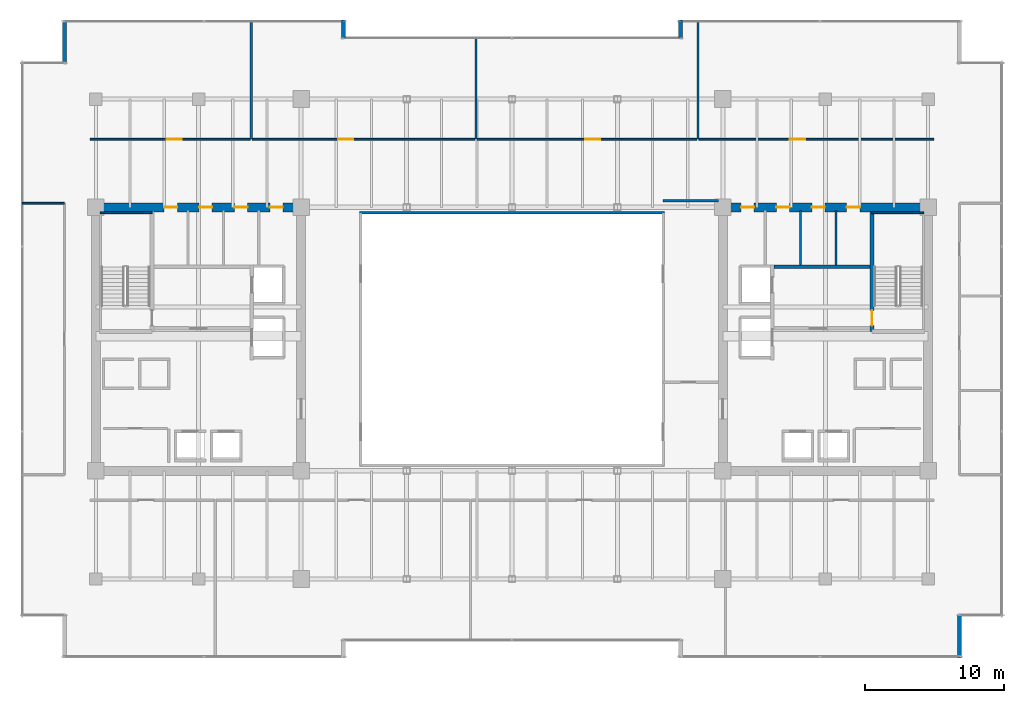
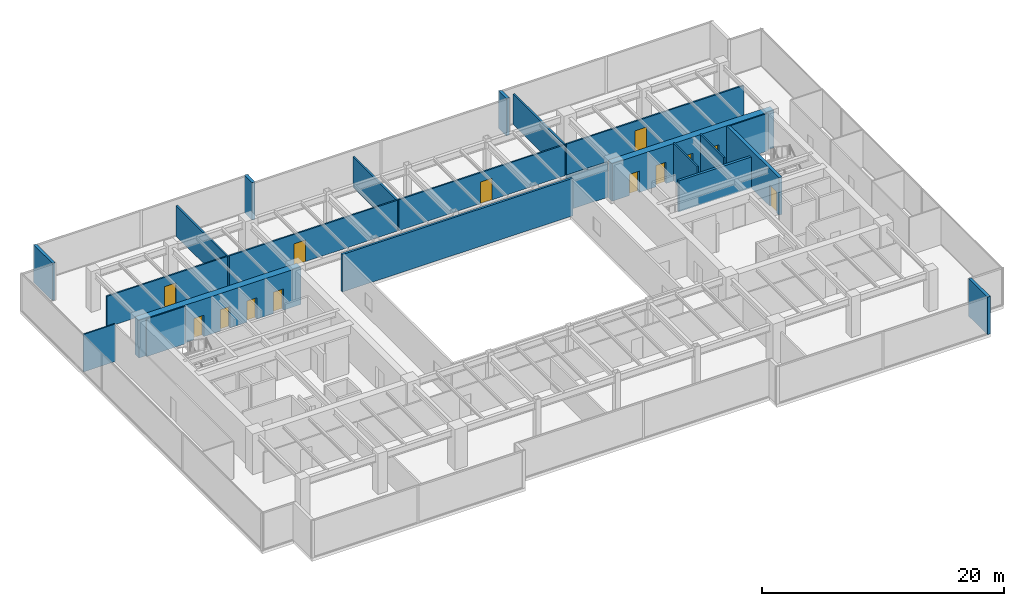
# One storey, part 27 of 30: 22 walls, 13 doors, 13 openings.
"""IFC4 building model written with IfcOpenShell, lengths in metres."""

from ifc_helpers import new_model, si_unit, direction, frame, frame_2d, origin, place, context, subcontext, project, spatial, rectangle, extrude, source, transform, mapped, material, layer, layer_set, type_object, type_shapes, element, fill, save


model = new_model("IFC4")

# Units and contexts
model_context = context("Model", 3, precision=1e-05, world=origin(), true_north=direction((0.0, 1.0)))
body_context = subcontext(model_context, "Body", "Model", "MODEL_VIEW")
ifc_project = project(units=[si_unit("LENGTHUNIT", "METRE"), si_unit("AREAUNIT", "SQUARE_METRE"), si_unit("VOLUMEUNIT", "CUBIC_METRE"), si_unit("PLANEANGLEUNIT", "RADIAN"), si_unit("MASSUNIT", "GRAM", prefix="KILO")], contexts=[model_context])

# Site, building, storey
site_placement = place(None, origin())
site = spatial("IfcSite", under=ifc_project, at=site_placement, CompositionType="ELEMENT")
building_placement = place(site_placement, origin())
building = spatial("IfcBuilding", under=site, at=building_placement, Name="Haelvirn Gate Laboratories", CompositionType="ELEMENT")
storey_placement = place(building_placement, frame((0.0, 0.0, 121.5)))
storey = spatial("IfcBuildingStorey", under=building, at=storey_placement, Name="L29", CompositionType="ELEMENT", Elevation=121.5)

# Walls
ifc_material_1 = material(Name="Thermally-broken bronze aluminium rainscreen & mineral wool", Category="aluminium")
ifc_layer_1 = layer(ifc_material_1, 0.280029296875, Name="EW-TERR-280")
ifc_layer_set_1 = layer_set([ifc_layer_1], Name="Thermally-broken bronze aluminium rainscreen & mineral wool")
wall_type_1 = type_object("IfcWallType", Name="EW-TERR-280", PredefinedType="STANDARD", material=ifc_layer_set_1)
wall_1_placement = place(storey_placement, frame((69.659912109375, 1.300048828125, 0.0), z_axis=(0.0, 0.0, 1.0), x_axis=(0.0, 1.0, 0.0)))
element("IfcWall", 1, at=wall_1_placement, inside=storey, type_object=wall_type_1, Name="L29 Atrium Recess Bronze Return Wall 05", PredefinedType="STANDARD", context=body_context, shape_type="SweptSolid", body=[
    extrude(rectangle(XDim=3.087890625, YDim=0.280029296875, at=frame_2d((1.5439453125, 0.0))), origin(), (0.0, 0.0, 1.0), 3.7900390625),
])
for number, where, z_axis, x_axis, name in (
    (2, (49.5400390625, 47.300048828125, 0.0), (0.0, 0.0, 1.0), (0.0, -1.0, 0.0), "L29 Atrium Recess Bronze Return Wall 11"),
    (3, (25.260009765625, 46.011962890625, 0.0), (0.0, 0.0, 1.0), (0.0, 1.0, 0.0), "L29 Atrium Recess Bronze Return Wall 13"),
):
    element("IfcWall", number, at=place(storey_placement, frame(where, z_axis=z_axis, x_axis=x_axis)), inside=storey, type_object=wall_type_1, Name=name, PredefinedType="STANDARD", context=body_context, shape_type="SweptSolid", body=[
        extrude(rectangle(XDim=1.2880859375, YDim=0.280029296875, at=frame_2d((0.64404296875, 0.0))), origin(), (0.0, 0.0, 1.0), 3.7900390625),
    ])
wall_2_placement = place(storey_placement, frame((5.139892578125, 47.300048828125, 0.0), z_axis=(0.0, 0.0, 1.0), x_axis=(0.0, -1.0, 0.0)))
element("IfcWall", 4, at=wall_2_placement, inside=storey, type_object=wall_type_1, Name="L29 Atrium Recess Bronze Return Wall 15", PredefinedType="STANDARD", context=body_context, shape_type="SweptSolid", body=[
    extrude(rectangle(XDim=3.088134765625, YDim=0.280029296875, at=frame_2d((1.5439453125, 0.0))), origin(), (0.0, 0.0, 1.0), 3.7900390625),
])
ifc_material_2 = material(Name="Double-layer acoustic gypsum laboratory partition", Category="gypsum")
ifc_layer_2 = layer(ifc_material_2, 0.159912109375, Name="IW-ACOUST-160")
ifc_layer_set_2 = layer_set([ifc_layer_2], Name="Double-layer acoustic gypsum laboratory partition")
wall_type_2 = type_object("IfcWallType", Name="IW-ACOUST-160", PredefinedType="PARTITIONING", material=ifc_layer_set_2)
wall_3_placement = place(storey_placement, frame((18.60009765625, 38.705078125, 0.0), z_axis=(0.0, 0.0, 1.0), x_axis=(0.0, 1.0, 0.0)))
element("IfcWall", 5, at=wall_3_placement, inside=storey, type_object=wall_type_2, Name="L29 Interior Wall IW-L29-NDIV-01", PredefinedType="PARTITIONING", context=body_context, shape_type="SweptSolid", body=[
    extrude(rectangle(XDim=8.48486328125, YDim=0.159912109375, at=frame_2d((4.242431640625, 0.0))), origin(), (0.0, 0.0, 1.0), 3.074951171875),
])
wall_4_placement = place(storey_placement, frame((34.800048828125, 38.705078125, 0.0), z_axis=(0.0, 0.0, 1.0), x_axis=(0.0, 1.0, 0.0)))
element("IfcWall", 6, at=wall_4_placement, inside=storey, type_object=wall_type_2, Name="L29 Interior Wall IW-L29-NDIV-02", PredefinedType="PARTITIONING", context=body_context, shape_type="SweptSolid", body=[
    extrude(rectangle(XDim=7.284912109375, YDim=0.159912109375, at=frame_2d((3.642578125, 0.0))), origin(), (0.0, 0.0, 1.0), 3.074951171875),
])
wall_5_placement = place(storey_placement, frame((50.800048828125, 38.705078125, 0.0), z_axis=(0.0, 0.0, 1.0), x_axis=(0.0, 1.0, 0.0)))
element("IfcWall", 7, at=wall_5_placement, inside=storey, type_object=wall_type_2, Name="L29 Interior Wall IW-L29-NDIV-03", PredefinedType="PARTITIONING", context=body_context, shape_type="SweptSolid", body=[
    extrude(rectangle(XDim=8.48486328125, YDim=0.159912109375, at=frame_2d((4.242431640625, 0.0))), origin(), (0.0, 0.0, 1.0), 3.074951171875),
])
ifc_material_3 = material(Name="Fire-rated acoustic gypsum board partition", Category="gypsum")
ifc_layer_3 = layer(ifc_material_3, 0.175048828125, Name="IW-ACOUST-180")
ifc_layer_set_3 = layer_set([ifc_layer_3], Name="Fire-rated acoustic gypsum board partition")
wall_type_3 = type_object("IfcWallType", Name="IW-ACOUST-180", PredefinedType="PARTITIONING", material=ifc_layer_set_3)
wall_6_placement = place(storey_placement, frame((48.300048828125, 34.260009765625, 0.0), z_axis=(0.0, 0.0, 1.0), x_axis=(1.0, 0.0, 0.0)))
element("IfcWall", 8, at=wall_6_placement, inside=storey, type_object=wall_type_3, Name="L29 Interior Wall IW-L29-ASEM-N", PredefinedType="PARTITIONING", context=body_context, shape_type="SweptSolid", body=[
    extrude(rectangle(XDim=3.974853515625, YDim=0.175048828125, at=frame_2d((1.9873046875, 0.0))), origin(), (0.0, 0.0, 1.0), 3.47509765625),
])
ifc_material_4 = material(Name="Tempered fire-rated borosilicate glass & anodised aluminium", Category="aluminium")
ifc_layer_4 = layer(ifc_material_4, 0.195068359375, Name="IW-GLAZ-200")
ifc_layer_set_4 = layer_set([ifc_layer_4], Name="Tempered fire-rated borosilicate glass & anodised aluminium")
wall_type_4 = type_object("IfcWallType", Name="IW-GLAZ-200", PredefinedType="SOLIDWALL", material=ifc_layer_set_4)
wall_7_placement = place(storey_placement, frame((26.39990234375, 33.39990234375, 0.0), z_axis=(0.0, 0.0, 1.0), x_axis=(1.0, 0.0, 0.0)))
element("IfcWall", 9, at=wall_7_placement, inside=storey, type_object=wall_type_4, Name="L29 Interior Wall IW-L29-ATRIUM-N", PredefinedType="SOLIDWALL", context=body_context, shape_type="SweptSolid", body=[
    extrude(rectangle(XDim=22.0, YDim=0.195068359375, at=frame_2d((11.0, 0.0))), origin(), (0.0, 0.0, 1.0), 3.7900390625),
])
ifc_material_5 = material(Name="Lightweight acoustic gypsum board partition", Category="gypsum")
ifc_layer_5 = layer(ifc_material_5, 0.1201171875, Name="IW-PART-120")
ifc_layer_set_5 = layer_set([ifc_layer_5], Name="Lightweight acoustic gypsum board partition")
wall_type_5 = type_object("IfcWallType", Name="IW-PART-120", PredefinedType="PARTITIONING", material=ifc_layer_set_5)
wall_8_placement = place(storey_placement, frame((2.110107421875, 34.0849609375, 0.0), z_axis=(0.0, 0.0, 1.0), x_axis=(1.0, 0.0, 0.0)))
element("IfcWall", 10, at=wall_8_placement, inside=storey, type_object=wall_type_5, Name="L29 Interior Wall IW-L29-WCAP-N", PredefinedType="PARTITIONING", context=body_context, shape_type="SweptSolid", body=[
    extrude(rectangle(XDim=3.019775390625, YDim=0.1201171875, at=frame_2d((1.509765625, 0.0))), origin(), (0.0, 0.0, 1.0), 3.7900390625),
])

# Wall, opening, door
ifc_material_6 = material(Name="Acoustic mineral-wool gypsum board partition", Category="gypsum")
ifc_layer_6 = layer(ifc_material_6, 0.139892578125, Name="IW-PART-140")
ifc_layer_set_6 = layer_set([ifc_layer_6], Name="Acoustic mineral-wool gypsum board partition")
wall_type_6 = type_object("IfcWallType", Name="IW-PART-140", PredefinedType="PARTITIONING", material=ifc_layer_set_6)
wall_9_placement = place(storey_placement, frame((6.97998046875, 38.705078125, 0.0), z_axis=(0.0, 0.0, 1.0), x_axis=(1.0, 0.0, 0.0)))
wall_9 = element("IfcWall", 11, at=wall_9_placement, inside=storey, type_object=wall_type_6, Name="L29 Interior Wall IW-L29-NCORR-01", PredefinedType="PARTITIONING", context=body_context, shape_type="SweptSolid", body=[
    extrude(rectangle(XDim=11.5400390625, YDim=0.139892578125, at=frame_2d((5.77001953125, 0.0))), origin(), (0.0, 0.0, 1.0), 3.125),
])
opening_1_placement = place(wall_9_placement, frame((5.51220703125, 0.0, 0.0)))
opening_1 = element("IfcOpeningElement", 12, at=opening_1_placement, cuts=wall_9, Name="Opening D1", PredefinedType="OPENING", context=body_context, shape_type="SweptSolid", body=[
    extrude(rectangle(XDim=1.10009765625, YDim=2.179931640625, at=frame_2d((0.550048828125, 1.08984375))), frame((0.0, 0.080078125, 0.0), z_axis=(0.0, -1.0, 0.0), x_axis=(1.0, 0.0, 0.0)), (0.0, 0.0, 1.0), 0.159912109375),
])
ifc_material_7 = material(Name="Vision-panel acoustic solid-core timber lab door", Category="wood")
door_type_1 = type_object("IfcDoorType", Name="DR-LAB-1100", OperationType="NOTDEFINED", PredefinedType="DOOR", material=ifc_material_7)
shared_shape_1 = source(origin(), body_context, "Body", "SweptSolid", [
    extrude(rectangle(XDim=1.10009765625, YDim=2.179931640625, at=frame_2d((0.550048828125, 1.08984375))), frame((0.0, 0.02490234375, 0.0), z_axis=(0.0, -1.0, 0.0), x_axis=(1.0, 0.0, 0.0)), (0.0, 0.0, 1.0), 0.050048828125),
])
type_shapes(door_type_1, [shared_shape_1])
door_1_placement = place(opening_1_placement, origin())
door_1 = element("IfcDoor", 13, at=door_1_placement, inside=storey, type_object=door_type_1, Name="L29 Cleanroom Metrology Suite Door N1", OperationType="SINGLE_SWING_LEFT", OverallHeight=2.179931640625, OverallWidth=1.10009765625, PredefinedType="DOOR", context=body_context, shape_type="MappedRepresentation", body=[
    mapped(shared_shape_1, transform((0.0, 0.0, 0.0), scale=1.0)),
])
fill(opening_1, door_1)

wall_10_placement = place(storey_placement, frame((18.679931640625, 38.705078125, 0.0), z_axis=(0.0, 0.0, 1.0), x_axis=(1.0, 0.0, 0.0)))
wall_10 = element("IfcWall", 14, at=wall_10_placement, inside=storey, type_object=wall_type_6, Name="L29 Interior Wall IW-L29-NCORR-02", PredefinedType="PARTITIONING", context=body_context, shape_type="SweptSolid", body=[
    extrude(rectangle(XDim=16.0400390625, YDim=0.139892578125, at=frame_2d((8.02001953125, 0.0))), origin(), (0.0, 0.0, 1.0), 3.125),
])
opening_2_placement = place(wall_10_placement, frame((6.1884765625, 0.0, 0.0)))
opening_2 = element("IfcOpeningElement", 15, at=opening_2_placement, cuts=wall_10, Name="Opening D1", PredefinedType="OPENING", context=body_context, shape_type="SweptSolid", body=[
    extrude(rectangle(XDim=1.10009765625, YDim=2.179931640625, at=frame_2d((0.550048828125, 1.08984375))), frame((0.0, 0.080078125, 0.0), z_axis=(0.0, -1.0, 0.0), x_axis=(1.0, 0.0, 0.0)), (0.0, 0.0, 1.0), 0.159912109375),
])
door_2_placement = place(opening_2_placement, origin())
door_2 = element("IfcDoor", 16, at=door_2_placement, inside=storey, type_object=door_type_1, Name="L29 Cryo-EM Imaging Suite Door N2", OperationType="SINGLE_SWING_RIGHT", OverallHeight=2.179931640625, OverallWidth=1.10009765625, PredefinedType="DOOR", context=body_context, shape_type="MappedRepresentation", body=[
    mapped(shared_shape_1, transform((0.0, 0.0, 0.0), scale=1.0)),
])
fill(opening_2, door_2)

wall_11_placement = place(storey_placement, frame((34.8798828125, 38.705078125, 0.0), z_axis=(0.0, 0.0, 1.0), x_axis=(1.0, 0.0, 0.0)))
wall_11 = element("IfcWall", 17, at=wall_11_placement, inside=storey, type_object=wall_type_6, Name="L29 Interior Wall IW-L29-NCORR-03", PredefinedType="PARTITIONING", context=body_context, shape_type="SweptSolid", body=[
    extrude(rectangle(XDim=15.840087890625, YDim=0.139892578125, at=frame_2d((7.919921875, 0.0))), origin(), (0.0, 0.0, 1.0), 3.125),
])
opening_3_placement = place(wall_11_placement, frame((7.791259765625, 0.0, 0.0)))
opening_3 = element("IfcOpeningElement", 18, at=opening_3_placement, cuts=wall_11, Name="Opening D1", PredefinedType="OPENING", context=body_context, shape_type="SweptSolid", body=[
    extrude(rectangle(XDim=1.10009765625, YDim=2.179931640625, at=frame_2d((0.550048828125, 1.08984375))), frame((0.0, 0.080078125, 0.0), z_axis=(0.0, -1.0, 0.0), x_axis=(1.0, 0.0, 0.0)), (0.0, 0.0, 1.0), 0.159912109375),
])
door_3_placement = place(opening_3_placement, origin())
door_3 = element("IfcDoor", 19, at=door_3_placement, inside=storey, type_object=door_type_1, Name="L29 Floor Hydration & Tea Servery Door N3", OperationType="SINGLE_SWING_LEFT", OverallHeight=2.179931640625, OverallWidth=1.10009765625, PredefinedType="DOOR", context=body_context, shape_type="MappedRepresentation", body=[
    mapped(shared_shape_1, transform((0.0, 0.0, 0.0), scale=1.0)),
])
fill(opening_3, door_3)

wall_12_placement = place(storey_placement, frame((50.8798828125, 38.705078125, 0.0), z_axis=(0.0, 0.0, 1.0), x_axis=(1.0, 0.0, 0.0)))
wall_12 = element("IfcWall", 20, at=wall_12_placement, inside=storey, type_object=wall_type_6, Name="L29 Interior Wall IW-L29-NCORR-04", PredefinedType="PARTITIONING", context=body_context, shape_type="SweptSolid", body=[
    extrude(rectangle(XDim=16.940185546875, YDim=0.139892578125, at=frame_2d((8.47021484375, 0.0))), origin(), (0.0, 0.0, 1.0), 3.125),
])
opening_4_placement = place(wall_12_placement, frame((6.557373046875, 0.0, 0.0)))
opening_4 = element("IfcOpeningElement", 21, at=opening_4_placement, cuts=wall_12, Name="Opening D1", PredefinedType="OPENING", context=body_context, shape_type="SweptSolid", body=[
    extrude(rectangle(XDim=1.10009765625, YDim=2.179931640625, at=frame_2d((0.550048828125, 1.08984375))), frame((0.0, 0.080078125, 0.0), z_axis=(0.0, -1.0, 0.0), x_axis=(1.0, 0.0, 0.0)), (0.0, 0.0, 1.0), 0.159912109375),
])
door_4_placement = place(opening_4_placement, origin())
door_4 = element("IfcDoor", 22, at=door_4_placement, inside=storey, type_object=door_type_1, Name="L29 Researcher Break Pantry Door N4", OperationType="SINGLE_SWING_RIGHT", OverallHeight=2.179931640625, OverallWidth=1.10009765625, PredefinedType="DOOR", context=body_context, shape_type="MappedRepresentation", body=[
    mapped(shared_shape_1, transform((0.0, 0.0, 0.0), scale=1.0)),
])
fill(opening_4, door_4)

# Walls
ifc_material_8 = material(Name="Cement-board restroom plumbing chase wall", Category="gypsum")
ifc_layer_7 = layer(ifc_material_8, 0.155029296875, Name="IW-PLUMB-160")
ifc_layer_set_7 = layer_set([ifc_layer_7], Name="Cement-board restroom plumbing chase wall")
wall_type_7 = type_object("IfcWallType", Name="IW-PLUMB-160", PredefinedType="PLUMBINGWALL", material=ifc_layer_set_7)
for number, where, z_axis, x_axis, name in (
    (23, (60.760009765625, 29.64990234375, 0.0), (0.0, 0.0, 1.0), (0.0, 1.0, 0.0), "L29 Interior Wall IW-L29-E-CDIV-1"),
    (24, (58.2099609375, 29.64990234375, 0.0), (0.0, 0.0, 1.0), (0.0, 1.0, 0.0), "L29 Interior Wall IW-L29-E-CDIV-2"),
):
    element("IfcWall", number, at=place(storey_placement, frame(where, z_axis=z_axis, x_axis=x_axis)), inside=storey, type_object=wall_type_7, Name=name, PredefinedType="PLUMBINGWALL", context=body_context, shape_type="SweptSolid", body=[
        extrude(rectangle(XDim=3.93017578125, YDim=0.155029296875, at=frame_2d((1.965087890625, 0.0))), origin(), (0.0, 0.0, 1.0), 3.7900390625),
    ])
ifc_material_9 = material(Name="Concrete C40/50", Category="concrete")
ifc_layer_8 = layer(ifc_material_9, 0.239990234375, Name="IW-SHAFT-240")
ifc_layer_set_8 = layer_set([ifc_layer_8], Name="Concrete C40/50")
wall_type_8 = type_object("IfcWallType", Name="IW-SHAFT-240", PredefinedType="SOLIDWALL", material=ifc_layer_set_8)
wall_13_placement = place(storey_placement, frame((56.280029296875, 29.52001953125, 0.0), z_axis=(0.0, 0.0, 1.0), x_axis=(1.0, 0.0, 0.0)))
element("IfcWall", 25, at=wall_13_placement, inside=storey, type_object=wall_type_8, Name="L29 Interior Wall IW-L29-E-FF-N", PredefinedType="SOLIDWALL", context=body_context, shape_type="SweptSolid", body=[
    extrude(rectangle(XDim=6.919921875, YDim=0.239990234375, at=frame_2d((3.4599609375, 0.0))), origin(), (0.0, 0.0, 1.0), 3.125),
])

# Wall, openings, doors
ifc_material_10 = material(Name="Concrete C60/75", Category="concrete")
ifc_layer_9 = layer(ifc_material_10, 0.64990234375, Name="SW-CORE-650")
ifc_layer_set_9 = layer_set([ifc_layer_9], Name="Concrete C60/75")
wall_type_9 = type_object("IfcWallType", Name="SW-CORE-650", PredefinedType="SHEAR", material=ifc_layer_set_9)
wall_14_placement = place(storey_placement, frame((7.074951171875, 33.800048828125, 0.0), z_axis=(0.0, 0.0, 1.0), x_axis=(1.0, 0.0, 0.0)))
wall_14 = element("IfcWall", 26, at=wall_14_placement, inside=storey, type_object=wall_type_9, Name="L29 W Core Shear Wall N", PredefinedType="SHEAR", context=body_context, shape_type="SweptSolid", body=[
    extrude(rectangle(XDim=15.449951171875, YDim=0.64990234375, at=frame_2d((7.72509765625, 0.0))), origin(), (0.0, 0.0, 1.0), 3.7900390625),
])
opening_5_placement = place(wall_14_placement, frame((5.25, 0.0, 0.0)))
opening_5 = element("IfcOpeningElement", 27, at=opening_5_placement, cuts=wall_14, Name="Opening FD4", PredefinedType="OPENING", context=body_context, shape_type="SweptSolid", body=[
    extrude(rectangle(XDim=0.949951171875, YDim=2.14990234375, at=frame_2d((0.47509765625, 1.074951171875))), frame((0.0, 0.3349609375, 0.0), z_axis=(0.0, -1.0, 0.0), x_axis=(1.0, 0.0, 0.0)), (0.0, 0.0, 1.0), 0.669921875),
])
opening_6_placement = place(wall_14_placement, frame((7.764892578125, 0.0, 0.0)))
opening_6 = element("IfcOpeningElement", 28, at=opening_6_placement, cuts=wall_14, Name="Opening FD4", PredefinedType="OPENING", context=body_context, shape_type="SweptSolid", body=[
    extrude(rectangle(XDim=0.949951171875, YDim=2.14990234375, at=frame_2d((0.47509765625, 1.074951171875))), frame((0.0, 0.3349609375, 0.0), z_axis=(0.0, -1.0, 0.0), x_axis=(1.0, 0.0, 0.0)), (0.0, 0.0, 1.0), 0.669921875),
])
opening_7_placement = place(wall_14_placement, frame((10.31494140625, 0.0, 0.0)))
opening_7 = element("IfcOpeningElement", 29, at=opening_7_placement, cuts=wall_14, Name="Opening FD4", PredefinedType="OPENING", context=body_context, shape_type="SweptSolid", body=[
    extrude(rectangle(XDim=0.949951171875, YDim=2.14990234375, at=frame_2d((0.47509765625, 1.074951171875))), frame((0.0, 0.3349609375, 0.0), z_axis=(0.0, -1.0, 0.0), x_axis=(1.0, 0.0, 0.0)), (0.0, 0.0, 1.0), 0.669921875),
])
opening_8_placement = place(wall_14_placement, frame((12.864990234375, 0.0, 0.0)))
opening_8 = element("IfcOpeningElement", 30, at=opening_8_placement, cuts=wall_14, Name="Opening FD4", PredefinedType="OPENING", context=body_context, shape_type="SweptSolid", body=[
    extrude(rectangle(XDim=0.949951171875, YDim=2.14990234375, at=frame_2d((0.47509765625, 1.074951171875))), frame((0.0, 0.3349609375, 0.0), z_axis=(0.0, -1.0, 0.0), x_axis=(1.0, 0.0, 0.0)), (0.0, 0.0, 1.0), 0.669921875),
])
ifc_material_11 = material(Name="Fire-rated steel SM355 core service door", Category="steel")
door_type_2 = type_object("IfcDoorType", Name="DR-FD-950", OperationType="NOTDEFINED", PredefinedType="DOOR", material=ifc_material_11)
shared_shape_2 = source(origin(), body_context, "Body", "SweptSolid", [
    extrude(rectangle(XDim=0.949951171875, YDim=2.14990234375, at=frame_2d((0.47509765625, 1.074951171875))), frame((0.0, 0.02490234375, 0.0), z_axis=(0.0, -1.0, 0.0), x_axis=(1.0, 0.0, 0.0)), (0.0, 0.0, 1.0), 0.050048828125),
])
type_shapes(door_type_2, [shared_shape_2])
door_5_placement = place(opening_5_placement, origin())
door_5 = element("IfcDoor", 31, at=door_5_placement, inside=storey, type_object=door_type_2, Name="L29 Male Restroom Fire Door", OperationType="SINGLE_SWING_RIGHT", OverallHeight=2.14990234375, OverallWidth=0.949951171875, PredefinedType="DOOR", context=body_context, shape_type="MappedRepresentation", body=[
    mapped(shared_shape_2, transform((0.0, 0.0, 0.0), scale=1.0)),
])
fill(opening_5, door_5)
door_6_placement = place(opening_6_placement, origin())
door_6 = element("IfcDoor", 32, at=door_6_placement, inside=storey, type_object=door_type_2, Name="L29 Female Restroom Fire Door", OperationType="SINGLE_SWING_LEFT", OverallHeight=2.14990234375, OverallWidth=0.949951171875, PredefinedType="DOOR", context=body_context, shape_type="MappedRepresentation", body=[
    mapped(shared_shape_2, transform((0.0, 0.0, 0.0), scale=1.0)),
])
fill(opening_6, door_6)
door_7_placement = place(opening_7_placement, origin())
door_7 = element("IfcDoor", 33, at=door_7_placement, inside=storey, type_object=door_type_2, Name="L29 Accessible Restroom Fire Door", OperationType="SINGLE_SWING_RIGHT", OverallHeight=2.14990234375, OverallWidth=0.949951171875, PredefinedType="DOOR", context=body_context, shape_type="MappedRepresentation", body=[
    mapped(shared_shape_2, transform((0.0, 0.0, 0.0), scale=1.0)),
])
fill(opening_7, door_7)
door_8_placement = place(opening_8_placement, origin())
door_8 = element("IfcDoor", 34, at=door_8_placement, inside=storey, type_object=door_type_2, Name="L29 Decontamination Shower Washroom Fire Door", OperationType="SINGLE_SWING_LEFT", OverallHeight=2.14990234375, OverallWidth=0.949951171875, PredefinedType="DOOR", context=body_context, shape_type="MappedRepresentation", body=[
    mapped(shared_shape_2, transform((0.0, 0.0, 0.0), scale=1.0)),
])
fill(opening_8, door_8)

wall_15_placement = place(storey_placement, frame((52.27490234375, 33.800048828125, 0.0), z_axis=(0.0, 0.0, 1.0), x_axis=(1.0, 0.0, 0.0)))
wall_15 = element("IfcWall", 35, at=wall_15_placement, inside=storey, type_object=wall_type_9, Name="L29 E Core Shear Wall N", PredefinedType="SHEAR", context=body_context, shape_type="SweptSolid", body=[
    extrude(rectangle(XDim=15.4501953125, YDim=0.64990234375, at=frame_2d((7.72509765625, 0.0))), origin(), (0.0, 0.0, 1.0), 3.7900390625),
])
opening_9_placement = place(wall_15_placement, frame((9.25, 0.0, 0.0)))
opening_9 = element("IfcOpeningElement", 36, at=opening_9_placement, cuts=wall_15, Name="Opening FD4", PredefinedType="OPENING", context=body_context, shape_type="SweptSolid", body=[
    extrude(rectangle(XDim=0.949951171875, YDim=2.14990234375, at=frame_2d((0.47509765625, 1.074951171875))), frame((0.0, 0.3349609375, 0.0), z_axis=(0.0, -1.0, 0.0), x_axis=(1.0, 0.0, 0.0)), (0.0, 0.0, 1.0), 0.669921875),
])
opening_10_placement = place(wall_15_placement, frame((6.735107421875, 0.0, 0.0)))
opening_10 = element("IfcOpeningElement", 37, at=opening_10_placement, cuts=wall_15, Name="Opening FD4", PredefinedType="OPENING", context=body_context, shape_type="SweptSolid", body=[
    extrude(rectangle(XDim=0.949951171875, YDim=2.14990234375, at=frame_2d((0.47509765625, 1.074951171875))), frame((0.0, 0.3349609375, 0.0), z_axis=(0.0, -1.0, 0.0), x_axis=(1.0, 0.0, 0.0)), (0.0, 0.0, 1.0), 0.669921875),
])
opening_11_placement = place(wall_15_placement, frame((4.18505859375, 0.0, 0.0)))
opening_11 = element("IfcOpeningElement", 38, at=opening_11_placement, cuts=wall_15, Name="Opening FD4", PredefinedType="OPENING", context=body_context, shape_type="SweptSolid", body=[
    extrude(rectangle(XDim=0.949951171875, YDim=2.14990234375, at=frame_2d((0.47509765625, 1.074951171875))), frame((0.0, 0.3349609375, 0.0), z_axis=(0.0, -1.0, 0.0), x_axis=(1.0, 0.0, 0.0)), (0.0, 0.0, 1.0), 0.669921875),
])
opening_12_placement = place(wall_15_placement, frame((1.635009765625, 0.0, 0.0)))
opening_12 = element("IfcOpeningElement", 39, at=opening_12_placement, cuts=wall_15, Name="Opening FD4", PredefinedType="OPENING", context=body_context, shape_type="SweptSolid", body=[
    extrude(rectangle(XDim=0.949951171875, YDim=2.14990234375, at=frame_2d((0.47509765625, 1.074951171875))), frame((0.0, 0.3349609375, 0.0), z_axis=(0.0, -1.0, 0.0), x_axis=(1.0, 0.0, 0.0)), (0.0, 0.0, 1.0), 0.669921875),
])
door_9_placement = place(opening_9_placement, origin())
door_9 = element("IfcDoor", 40, at=door_9_placement, inside=storey, type_object=door_type_2, Name="L29 Male Restroom Fire Door", OperationType="SINGLE_SWING_RIGHT", OverallHeight=2.14990234375, OverallWidth=0.949951171875, PredefinedType="DOOR", context=body_context, shape_type="MappedRepresentation", body=[
    mapped(shared_shape_2, transform((0.0, 0.0, 0.0), scale=1.0)),
])
fill(opening_9, door_9)
door_10_placement = place(opening_10_placement, origin())
door_10 = element("IfcDoor", 41, at=door_10_placement, inside=storey, type_object=door_type_2, Name="L29 Female Restroom Fire Door", OperationType="SINGLE_SWING_LEFT", OverallHeight=2.14990234375, OverallWidth=0.949951171875, PredefinedType="DOOR", context=body_context, shape_type="MappedRepresentation", body=[
    mapped(shared_shape_2, transform((0.0, 0.0, 0.0), scale=1.0)),
])
fill(opening_10, door_10)
door_11_placement = place(opening_11_placement, origin())
door_11 = element("IfcDoor", 42, at=door_11_placement, inside=storey, type_object=door_type_2, Name="L29 Accessible Restroom Fire Door", OperationType="SINGLE_SWING_RIGHT", OverallHeight=2.14990234375, OverallWidth=0.949951171875, PredefinedType="DOOR", context=body_context, shape_type="MappedRepresentation", body=[
    mapped(shared_shape_2, transform((0.0, 0.0, 0.0), scale=1.0)),
])
fill(opening_11, door_11)
door_12_placement = place(opening_12_placement, origin())
door_12 = element("IfcDoor", 43, at=door_12_placement, inside=storey, type_object=door_type_2, Name="L29 Decontamination Shower Washroom Fire Door", OperationType="SINGLE_SWING_LEFT", OverallHeight=2.14990234375, OverallWidth=0.949951171875, PredefinedType="DOOR", context=body_context, shape_type="MappedRepresentation", body=[
    mapped(shared_shape_2, transform((0.0, 0.0, 0.0), scale=1.0)),
])
fill(opening_12, door_12)

# Walls
ifc_material_12 = material(Name="Concrete C50/60", Category="concrete")
ifc_layer_10 = layer(ifc_material_12, 0.1201171875, Name="SW-LINER-120")
ifc_layer_set_10 = layer_set([ifc_layer_10], Name="Concrete C50/60")
wall_type_10 = type_object("IfcWallType", Name="SW-LINER-120", PredefinedType="SOLIDWALL", material=ifc_layer_set_10)
for number, where, z_axis, x_axis, name in (
    (44, (7.72998046875, 33.39990234375, 0.0), (0.0, 0.0, 1.0), (1.0, 0.0, 0.0), "L29 W Core Stair Shaft Liner Wall N"),
    (45, (63.35009765625, 33.39990234375, 0.0), (0.0, 0.0, 1.0), (1.0, 0.0, 0.0), "L29 E Core Stair Shaft Liner Wall N"),
):
    element("IfcWall", number, at=place(storey_placement, frame(where, z_axis=z_axis, x_axis=x_axis)), inside=storey, type_object=wall_type_10, Name=name, PredefinedType="SOLIDWALL", context=body_context, shape_type="SweptSolid", body=[
        extrude(rectangle(XDim=3.719970703125, YDim=0.1201171875, at=frame_2d((1.85986328125, 0.0))), origin(), (0.0, 0.0, 1.0), 3.7900390625),
    ])

# Wall, opening, door
ifc_layer_11 = layer(ifc_material_12, 0.300048828125, Name="SW-STAIR-300")
ifc_layer_set_11 = layer_set([ifc_layer_11], Name="Concrete C50/60")
wall_type_11 = type_object("IfcWallType", Name="SW-STAIR-300", PredefinedType="SHEAR", material=ifc_layer_set_11)
wall_16_placement = place(storey_placement, frame((63.35009765625, 24.85009765625, 0.0), z_axis=(0.0, 0.0, 1.0), x_axis=(0.0, 1.0, 0.0)))
wall_16 = element("IfcWall", 46, at=wall_16_placement, inside=storey, type_object=wall_type_11, Name="L29 E Core Stair Shaft Structural Wall IN", PredefinedType="SHEAR", context=body_context, shape_type="SweptSolid", body=[
    extrude(rectangle(XDim=8.6298828125, YDim=0.300048828125, at=frame_2d((4.31494140625, 0.0))), origin(), (0.0, 0.0, 1.0), 3.7900390625),
])
opening_13_placement = place(wall_16_placement, frame((0.419921875, 0.0, 0.0)))
opening_13 = element("IfcOpeningElement", 47, at=opening_13_placement, cuts=wall_16, Name="Opening FD3", PredefinedType="OPENING", context=body_context, shape_type="SweptSolid", body=[
    extrude(rectangle(XDim=1.10009765625, YDim=2.14990234375, at=frame_2d((0.550048828125, 1.074951171875))), frame((0.0, 0.16015625, 0.0), z_axis=(0.0, -1.0, 0.0), x_axis=(1.0, 0.0, 0.0)), (0.0, 0.0, 1.0), 0.320068359375),
])
ifc_material_13 = material(Name="Fire-rated steel SM355 escape stair door", Category="steel")
door_type_3 = type_object("IfcDoorType", Name="DR-FD-1100", OperationType="NOTDEFINED", PredefinedType="DOOR", material=ifc_material_13)
shared_shape_3 = source(origin(), body_context, "Body", "SweptSolid", [
    extrude(rectangle(XDim=1.10009765625, YDim=2.14990234375, at=frame_2d((0.550048828125, 1.074951171875))), frame((0.0, 0.02490234375, 0.0), z_axis=(0.0, -1.0, 0.0), x_axis=(1.0, 0.0, 0.0)), (0.0, 0.0, 1.0), 0.050048828125),
])
type_shapes(door_type_3, [shared_shape_3])
door_13_placement = place(opening_13_placement, origin())
door_13 = element("IfcDoor", 48, at=door_13_placement, inside=storey, type_object=door_type_3, Name="L29 Escape Stair ST2 Fire Door", OperationType="SINGLE_SWING_RIGHT", OverallHeight=2.14990234375, OverallWidth=1.10009765625, PredefinedType="DOOR", context=body_context, shape_type="MappedRepresentation", body=[
    mapped(shared_shape_3, transform((0.0, 0.0, 0.0), scale=1.0)),
])
fill(opening_13, door_13)

save(model, "model.ifc")
